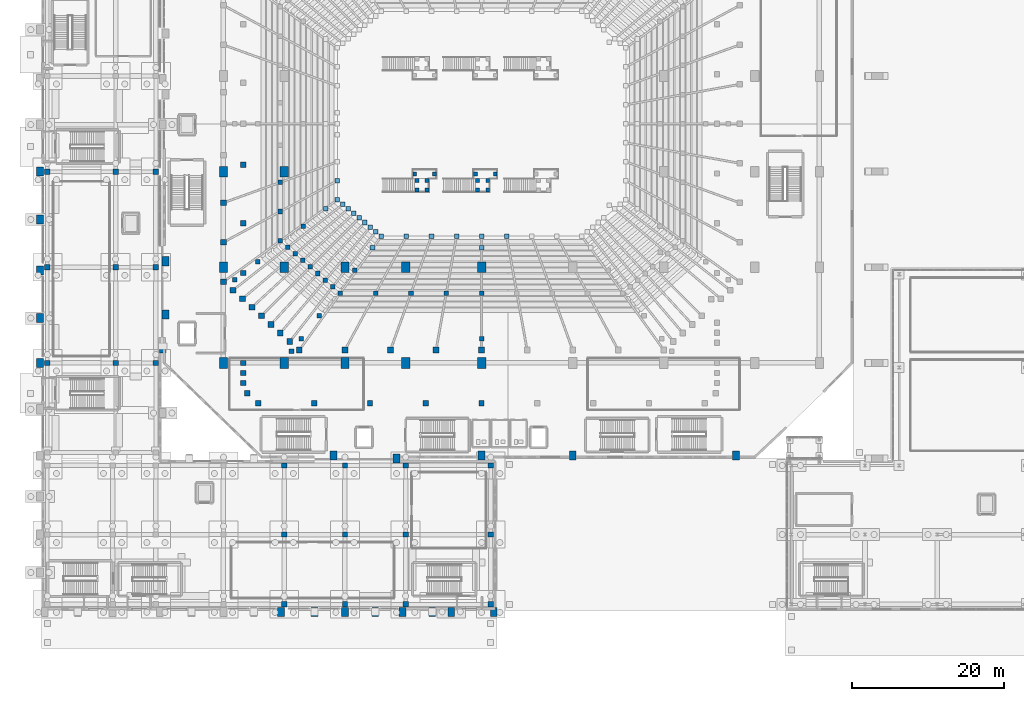
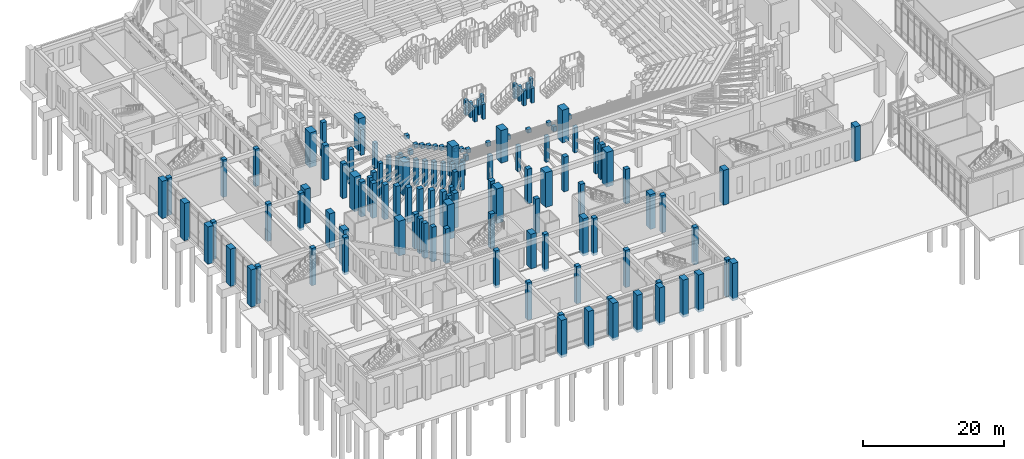
# One storey, part 6 of 143: 134 columns.
"""IFC4 building model written with IfcOpenShell, lengths in metres."""

import ifcopenshell
import ifcopenshell.guid

model = None  # the IFC model being written
_history = None  # IfcOwnerHistory: only IFC2X3 demands one
_inside = {}  # id of a spatial element -> (the spatial element, [elements in it])
_under = {}  # id of a project, library or spatial element -> (it, [spatial elements below it])
_declared = {}  # id of a project -> (the project, [libraries it declares])
_typed = {}  # id of a type object -> (the type object, [elements of that type])
_made_of = {}  # id of a material, layer set ... -> (it, [elements and type objects made of it])


def new_model(schema):
    """Start an empty IFC model of exactly this schema.

    Asked for "IFC4X3", IfcOpenShell would pick the latest addendum, in which some entities
    have other attributes; the version numbers below select the first issue.
    IFC2X3 requires an IfcOwnerHistory on every rooted entity: one is made here for all.
    """
    global model, _history
    if schema == "IFC4X3":
        model = ifcopenshell.file(schema_version=(4, 3, 0, 0))
    else:
        model = ifcopenshell.file(schema=schema)
    _inside.clear()
    _under.clear()
    _declared.clear()
    _typed.clear()
    _made_of.clear()
    _history = None
    if model.schema == "IFC2X3":
        org = make("IfcOrganization", Name="unknown")
        user = make(
            "IfcPersonAndOrganization",
            ThePerson=make("IfcPerson", FamilyName="unknown"),
            TheOrganization=org,
        )
        app = make(
            "IfcApplication",
            ApplicationDeveloper=org,
            Version="unknown",
            ApplicationFullName="unknown",
            ApplicationIdentifier="unknown",
        )
        _history = make(
            "IfcOwnerHistory",
            OwningUser=user,
            OwningApplication=app,
            ChangeAction="ADDED",
            CreationDate=0,
        )
    return model


def make(cls, **values):
    """One entity of the class cls with the attributes given. An attribute that is None is left unset."""
    return model.create_entity(
        cls, **{name: value for name, value in values.items() if value is not None}
    )


def rooted(cls, **values):
    """An entity with a GlobalId (a new one), such as an element, a storey or a relation."""
    return make(cls, GlobalId=ifcopenshell.guid.new(), OwnerHistory=_history, **values)


def si_unit(unit_type, name, prefix=None):
    """IfcSIUnit, for example si_unit("LENGTHUNIT", "METRE", prefix="MILLI")."""
    return make("IfcSIUnit", UnitType=unit_type, Prefix=prefix, Name=name)


def derived_unit(unit_type, elements):
    """IfcDerivedUnit: a product of units, each with its exponent."""
    return make(
        "IfcDerivedUnit",
        Elements=[
            make("IfcDerivedUnitElement", Unit=unit, Exponent=power)
            for unit, power in elements
        ],
        UnitType=unit_type,
    )


def assignment(units):
    """IfcUnitAssignment: the units of a project."""
    return None if units is None else make("IfcUnitAssignment", Units=units)


def point(xyz):
    """IfcCartesianPoint."""
    return None if xyz is None else make("IfcCartesianPoint", Coordinates=xyz)


def direction(xyz):
    """IfcDirection."""
    return None if xyz is None else make("IfcDirection", DirectionRatios=xyz)


def frame(location, z_axis=None, x_axis=None):
    """IfcAxis2Placement3D, a coordinate frame: its origin and axes. An axis left out is left unset."""
    return make(
        "IfcAxis2Placement3D",
        Location=point(location),
        Axis=direction(z_axis),
        RefDirection=direction(x_axis),
    )


def frame_2d(location, x_axis=None):
    """IfcAxis2Placement2D, a coordinate frame in the plane: its origin and x axis."""
    return make(
        "IfcAxis2Placement2D", Location=point(location), RefDirection=direction(x_axis)
    )


def origin():
    """The frame at (0, 0, 0) with its axes left unset."""
    return frame((0.0, 0.0, 0.0))


def origin_2d():
    """The frame at (0, 0) in the plane with its x axis left unset."""
    return frame_2d((0.0, 0.0))


def place(relative_to, where):
    """IfcLocalPlacement: puts the frame where relative to a parent placement (None: the world)."""
    return make(
        "IfcLocalPlacement", PlacementRelTo=relative_to, RelativePlacement=where
    )


def context(
    kind, dimensions, precision=None, world=None, true_north=None, identifier=None
):
    """IfcGeometricRepresentationContext, for example the 3D "Model" context."""
    return make(
        "IfcGeometricRepresentationContext",
        ContextIdentifier=identifier,
        ContextType=kind,
        CoordinateSpaceDimension=dimensions,
        Precision=precision,
        WorldCoordinateSystem=world,
        TrueNorth=true_north,
    )


def subcontext(parent, identifier, kind, view, scale=None):
    """IfcGeometricRepresentationSubContext, for example "Body" below "Model"."""
    return make(
        "IfcGeometricRepresentationSubContext",
        ContextIdentifier=identifier,
        ContextType=kind,
        ParentContext=parent,
        TargetScale=scale,
        TargetView=view,
    )


def project(units=None, contexts=None):
    """IfcProject with its units and contexts."""
    return rooted(
        "IfcProject",
        Name="project",
        RepresentationContexts=contexts,
        UnitsInContext=assignment(units),
    )


def spatial(cls, under=None, at=None, **own):
    """A site, building, storey or space (cls), placed at a placement, below another one or the project."""
    s = rooted(cls, ObjectPlacement=at, **own)
    if under is not None:
        _under.setdefault(under.id(), (under, []))[1].append(s)
    return s


def profile(cls, at=None, kind="AREA", **sizes):
    """A parametric profile (cls). Its sizes go by their IFC names, for example OverallWidth=200.0."""
    return make(cls, ProfileType=kind, Position=at, **sizes)


def rectangle(**sizes):
    """IfcRectangleProfileDef."""
    return profile("IfcRectangleProfileDef", **sizes)


def extrude(swept, where, along, depth):
    """IfcExtrudedAreaSolid: the profile swept, set in the frame where, extruded along a direction by depth."""
    return make(
        "IfcExtrudedAreaSolid",
        SweptArea=swept,
        Position=where,
        ExtrudedDirection=direction(along),
        Depth=depth,
    )


def shape(context_of_items, identifier, shape_type, items):
    """IfcShapeRepresentation: the items that make up one representation, for example the "Body"."""
    return make(
        "IfcShapeRepresentation",
        ContextOfItems=context_of_items,
        RepresentationIdentifier=identifier,
        RepresentationType=shape_type,
        Items=items,
    )


def material(Name=None, Category=None):
    """IfcMaterial."""
    return make("IfcMaterial", Name=Name, Category=Category)


def material_profile(
    of_material, cross_section, Name=None, Category=None, Priority=None
):
    """IfcMaterialProfile: a cross section and its material."""
    return make(
        "IfcMaterialProfile",
        Name=Name,
        Material=of_material,
        Profile=cross_section,
        Priority=Priority,
        Category=Category,
    )


def profile_set(profiles, Name=None, composite=None):
    """IfcMaterialProfileSet."""
    return make(
        "IfcMaterialProfileSet",
        Name=Name,
        MaterialProfiles=profiles,
        CompositeProfile=composite,
    )


def made_of(thing, what):
    """Note that an element or type object is made of a material, layer set ...; save() writes the relation."""
    if what is not None:
        _made_of.setdefault(what.id(), (what, []))[1].append(thing)
    return thing


def type_object(cls, material=None, **own):
    """A type object (cls), such as IfcWallType, which elements share."""
    return made_of(rooted(cls, **own), material)


def element(
    cls,
    number,
    at=None,
    inside=None,
    cuts=None,
    type_object=None,
    material=None,
    context=None,
    identifier="Body",
    shape_type=None,
    held_by="IfcProductDefinitionShape",
    body=None,
    shapes=None,
    **own,
):
    """One element of the class cls, such as IfcWall. Its Tag is "e" and its number.

    at: its placement. inside: the storey or other place that contains it. cuts: it is an
    opening in that element (IfcRelVoidsElement). A single representation is given by context,
    identifier, shape_type and body (its items); several are given by shapes. held_by: the class
    of the entity that holds the representations. save() writes the other relations.
    """
    e = rooted(cls, Tag="e%d" % number, ObjectPlacement=at, **own)
    if body is not None:
        shapes = [shape(context, identifier, shape_type, body)]
    if shapes is not None:
        e.Representation = make(held_by, Representations=shapes)
    if inside is not None:
        _inside.setdefault(inside.id(), (inside, []))[1].append(e)
    if cuts is not None:
        rooted(
            "IfcRelVoidsElement", RelatingBuildingElement=cuts, RelatedOpeningElement=e
        )
    if type_object is not None:
        _typed.setdefault(type_object.id(), (type_object, []))[1].append(e)
    return made_of(e, material)


def aggregate(whole, parts):
    """IfcRelAggregates: a whole, such as a stair, and the parts it consists of."""
    return rooted("IfcRelAggregates", RelatingObject=whole, RelatedObjects=parts)


def save(model, path):
    """Write the relations noted so far, then the file.

    IfcRelAggregates (storeys below a building ...), IfcRelContainedInSpatialStructure (elements
    in a storey), IfcRelDefinesByType, IfcRelAssociatesMaterial and IfcRelDeclares: one each for
    every whole, place, type object, material and project.
    """
    for whole, parts in _under.values():
        aggregate(whole, parts)
    for where, things in _inside.values():
        rooted(
            "IfcRelContainedInSpatialStructure",
            RelatedElements=things,
            RelatingStructure=where,
        )
    for kind, things in _typed.values():
        rooted("IfcRelDefinesByType", RelatedObjects=things, RelatingType=kind)
    for what, things in _made_of.values():
        rooted("IfcRelAssociatesMaterial", RelatedObjects=things, RelatingMaterial=what)
    for by, libraries in _declared.values():
        rooted("IfcRelDeclares", RelatingContext=by, RelatedDefinitions=libraries)
    model.write(path)


model = new_model("IFC4")

# Units and contexts
model_context = context("Model", 3, precision=1e-05, world=origin(), true_north=direction((0.0, 1.0)))
body_context = subcontext(model_context, "Body", "Model", "MODEL_VIEW")
ifc_project = project(units=[si_unit("LENGTHUNIT", "METRE"), si_unit("AREAUNIT", "SQUARE_METRE"), si_unit("VOLUMEUNIT", "CUBIC_METRE"), si_unit("PLANEANGLEUNIT", "RADIAN"), si_unit("MASSUNIT", "GRAM", prefix="KILO"), derived_unit("THERMALTRANSMITTANCEUNIT", [(si_unit("MASSUNIT", "GRAM", prefix="KILO"), 1), (si_unit("TIMEUNIT", "SECOND"), -3), (si_unit("THERMODYNAMICTEMPERATUREUNIT", "KELVIN"), -1)])], contexts=[model_context])

# Site, building, storey
site_placement = place(None, origin())
site = spatial("IfcSite", under=ifc_project, at=site_placement, CompositionType="ELEMENT")
building_placement = place(site_placement, origin())
building = spatial("IfcBuilding", under=site, at=building_placement, Name="Valcora Ridge Arena", CompositionType="ELEMENT")
storey_placement = place(building_placement, origin())
storey = spatial("IfcBuildingStorey", under=building, at=storey_placement, Name="L00", CompositionType="ELEMENT", Elevation=0.0)

# Columns
ifc_material_1 = material(Name="Bush-hammered Andean travertine architectural concrete C45/55", Category="masonry")
ifc_material_profile_1 = material_profile(ifc_material_1, rectangle(XDim=0.89990234375, YDim=1.199951171875, at=origin_2d()), Name="RC 900x1200")
ifc_profile_set_1 = profile_set([ifc_material_profile_1], Name="Bush-hammered Andean travertine architectural concrete C45/55")
column_type_1 = type_object("IfcColumnType", Name="TY-COLUMN-C-BUTT-1200", PredefinedType="PILASTER", material=ifc_profile_set_1)
for number, where, z_axis, x_axis, name in (
    (1, (38.5, 20.39990234375, 0.0), (0.0, 0.0, 1.0), (1.0, 0.0, 0.0), "C-BUTT-1200 COL-C-BUTT-1200-0002"),
    (2, (58.0, 20.39990234375, 0.0), (0.0, 0.0, 1.0), (1.0, 0.0, 0.0), "C-BUTT-1200 COL-C-BUTT-1200-0006"),
    (3, (70.0, 20.39990234375, 0.0), (0.0, 0.0, 1.0), (1.0, 0.0, 0.0), "C-BUTT-1200 COL-C-BUTT-1200-0010"),
    (4, (91.5, 20.39990234375, 0.0), (0.0, 0.0, 1.0), (1.0, 0.0, 0.0), "C-BUTT-1200 COL-C-BUTT-1200-0014"),
    (5, (16.35009765625, 39.0, 0.0), (0.0, 0.0, 1.0), (1.0, 0.0, 0.0), "C-BUTT-1200 COL-C-BUTT-1200-0034"),
    (6, (16.35009765625, 46.0, 0.0), (0.0, 0.0, 1.0), (1.0, 0.0, 0.0), "C-BUTT-1200 COL-C-BUTT-1200-0038"),
):
    element("IfcColumn", number, at=place(storey_placement, frame(where, z_axis=z_axis, x_axis=x_axis)), inside=storey, type_object=column_type_1, Name=name, PredefinedType="PILASTER", context=body_context, shape_type="SweptSolid", body=[
        extrude(rectangle(XDim=0.89990234375, YDim=1.199951171875, at=origin_2d()), origin(), (0.0, 0.0, 1.0), 6.0),
    ])
for number, where, z_axis, x_axis, name in (
    (7, (31.60009765625, -0.179931640625, -0.449951171875), (0.0, 0.0, 1.0), (1.0, 0.0, 0.0), "C-BUTT-1200 COL-C-BUTT-1200-0065"),
    (8, (40.0, -0.179931640625, -0.449951171875), (0.0, 0.0, 1.0), (1.0, 0.0, 0.0), "C-BUTT-1200 COL-C-BUTT-1200-0068"),
    (9, (47.60009765625, -0.179931640625, -0.449951171875), (0.0, 0.0, 1.0), (1.0, 0.0, 0.0), "C-BUTT-1200 COL-C-BUTT-1200-0071"),
    (10, (54.0, -0.179931640625, -0.449951171875), (0.0, 0.0, 1.0), (1.0, 0.0, 0.0), "C-BUTT-1200 COL-C-BUTT-1200-0074"),
    (11, (59.60009765625, -0.179931640625, -0.449951171875), (0.0, 0.0, 1.0), (1.0, 0.0, 0.0), "C-BUTT-1200 COL-C-BUTT-1200-0077"),
    (12, (-0.179931640625, 32.60009765625, -0.449951171875), (0.0, 0.0, 1.0), (1.0, 0.0, 0.0), "C-BUTT-1200 COL-C-BUTT-1200-0086"),
    (13, (-0.179931640625, 44.800048828125, -0.449951171875), (0.0, 0.0, 1.0), (1.0, 0.0, 0.0), "C-BUTT-1200 COL-C-BUTT-1200-0089"),
    (14, (-0.179931640625, 57.800048828125, -0.449951171875), (0.0, 0.0, 1.0), (1.0, 0.0, 0.0), "C-BUTT-1200 COL-C-BUTT-1200-0092"),
    (15, (46.800048828125, 20.0, -0.449951171875), (0.0, 0.0, 1.0), (1.0, 0.0, 0.0), "C-BUTT-1200 COL-C-BUTT-1200-0110"),
    (16, (16.0, 34.5, -0.449951171875), (0.0, 0.0, 1.0), (1.0, 0.0, 0.0), "C-BUTT-1200 COL-C-BUTT-1200-0116"),
    (17, (36.0, -0.179931640625, -0.449951171875), (0.0, 0.0, 1.0), (1.0, 0.0, 0.0), "C-BUTT-1200 COL-C-BUTT-1200-0398"),
    (18, (44.0, -0.179931640625, -0.449951171875), (0.0, 0.0, 1.0), (1.0, 0.0, 0.0), "C-BUTT-1200 COL-C-BUTT-1200-0401"),
    (19, (51.5, -0.179931640625, -0.449951171875), (0.0, 0.0, 1.0), (1.0, 0.0, 0.0), "C-BUTT-1200 COL-C-BUTT-1200-0404"),
    (20, (-0.179931640625, 38.5, -0.449951171875), (0.0, 0.0, 1.0), (1.0, 0.0, 0.0), "C-BUTT-1200 COL-C-BUTT-1200-0416"),
    (21, (-0.179931640625, 51.5, -0.449951171875), (0.0, 0.0, 1.0), (1.0, 0.0, 0.0), "C-BUTT-1200 COL-C-BUTT-1200-0419"),
):
    element("IfcColumn", number, at=place(storey_placement, frame(where, z_axis=z_axis, x_axis=x_axis)), inside=storey, type_object=column_type_1, Name=name, PredefinedType="PILASTER", context=body_context, shape_type="SweptSolid", body=[
        extrude(rectangle(XDim=0.89990234375, YDim=1.199951171875, at=origin_2d()), origin(), (0.0, 0.0, 1.0), 6.449951171875),
    ])
ifc_material_2 = material(Name="Concrete C40/50", Category="concrete")
ifc_material_profile_2 = material_profile(ifc_material_2, rectangle(XDim=1.10009765625, YDim=1.39990234375, at=origin_2d()), Name="RC 1100x1400")
ifc_profile_set_2 = profile_set([ifc_material_profile_2], Name="Concrete C40/50")
column_type_2 = type_object("IfcColumnType", Name="TY-COLUMN-C-RC1100", PredefinedType="COLUMN", material=ifc_profile_set_2)
for number, where, z_axis, x_axis, name in (
    (22, (24.0, 32.60009765625, 0.0), (0.0, 0.0, 1.0), (1.0, 0.0, 0.0), "C-RC1100 COL-C-RC1100-0002"),
    (23, (24.0, 45.199951171875, 0.0), (0.0, 0.0, 1.0), (1.0, 0.0, 0.0), "C-RC1100 COL-C-RC1100-0004"),
    (24, (24.0, 57.800048828125, 0.0), (0.0, 0.0, 1.0), (1.0, 0.0, 0.0), "C-RC1100 COL-C-RC1100-0006"),
    (25, (32.0, 32.60009765625, 0.0), (0.0, 0.0, 1.0), (1.0, 0.0, 0.0), "C-RC1100 COL-C-RC1100-0014"),
):
    element("IfcColumn", number, at=place(storey_placement, frame(where, z_axis=z_axis, x_axis=x_axis)), inside=storey, type_object=column_type_2, Name=name, PredefinedType="COLUMN", context=body_context, shape_type="SweptSolid", body=[
        extrude(rectangle(XDim=1.10009765625, YDim=1.39990234375, at=origin_2d()), origin(), (0.0, 0.0, 1.0), 6.0),
    ])
for number, where, z_axis, x_axis, name in (
    (26, (32.0, 45.199951171875, 0.0), (0.0, 0.0, 1.0), (1.0, 0.0, 0.0), "C-RC1100 COL-C-RC1100-0016"),
    (27, (32.0, 57.800048828125, 0.0), (0.0, 0.0, 1.0), (1.0, 0.0, 0.0), "C-RC1100 COL-C-RC1100-0018"),
):
    element("IfcColumn", number, at=place(storey_placement, frame(where, z_axis=z_axis, x_axis=x_axis)), inside=storey, type_object=column_type_2, Name=name, PredefinedType="COLUMN", context=body_context, shape_type="SweptSolid", body=[
        extrude(rectangle(XDim=1.10009765625, YDim=1.39990234375, at=origin_2d()), origin(), (0.0, 0.0, 1.0), 5.639892578125),
    ])
column_1_placement = place(storey_placement, frame((40.0, 32.60009765625, 0.0), z_axis=(0.0, 0.0, 1.0), x_axis=(1.0, 0.0, 0.0)))
element("IfcColumn", 28, at=column_1_placement, inside=storey, type_object=column_type_2, Name="C-RC1100 COL-C-RC1100-0026", PredefinedType="COLUMN", context=body_context, shape_type="SweptSolid", body=[
    extrude(rectangle(XDim=1.10009765625, YDim=1.39990234375, at=origin_2d()), origin(), (0.0, 0.0, 1.0), 6.0),
])
column_2_placement = place(storey_placement, frame((40.0, 45.199951171875, 0.0), z_axis=(0.0, 0.0, 1.0), x_axis=(1.0, 0.0, 0.0)))
element("IfcColumn", 29, at=column_2_placement, inside=storey, type_object=column_type_2, Name="C-RC1100 COL-C-RC1100-0028", PredefinedType="COLUMN", context=body_context, shape_type="SweptSolid", body=[
    extrude(rectangle(XDim=1.10009765625, YDim=1.39990234375, at=origin_2d()), origin(), (0.0, 0.0, 1.0), 5.639892578125),
])
column_3_placement = place(storey_placement, frame((48.0, 32.60009765625, 0.0), z_axis=(0.0, 0.0, 1.0), x_axis=(1.0, 0.0, 0.0)))
element("IfcColumn", 30, at=column_3_placement, inside=storey, type_object=column_type_2, Name="C-RC1100 COL-C-RC1100-0034", PredefinedType="COLUMN", context=body_context, shape_type="SweptSolid", body=[
    extrude(rectangle(XDim=1.10009765625, YDim=1.39990234375, at=origin_2d()), origin(), (0.0, 0.0, 1.0), 6.0),
])
column_4_placement = place(storey_placement, frame((48.0, 45.199951171875, 0.0), z_axis=(0.0, 0.0, 1.0), x_axis=(1.0, 0.0, 0.0)))
element("IfcColumn", 31, at=column_4_placement, inside=storey, type_object=column_type_2, Name="C-RC1100 COL-C-RC1100-0036", PredefinedType="COLUMN", context=body_context, shape_type="SweptSolid", body=[
    extrude(rectangle(XDim=1.10009765625, YDim=1.39990234375, at=origin_2d()), origin(), (0.0, 0.0, 1.0), 5.639892578125),
])
column_5_placement = place(storey_placement, frame((58.0, 32.60009765625, 0.0), z_axis=(0.0, 0.0, 1.0), x_axis=(1.0, 0.0, 0.0)))
element("IfcColumn", 32, at=column_5_placement, inside=storey, type_object=column_type_2, Name="C-RC1100 COL-C-RC1100-0042", PredefinedType="COLUMN", context=body_context, shape_type="SweptSolid", body=[
    extrude(rectangle(XDim=1.10009765625, YDim=1.39990234375, at=origin_2d()), origin(), (0.0, 0.0, 1.0), 6.0),
])
column_6_placement = place(storey_placement, frame((58.0, 45.199951171875, 0.0), z_axis=(0.0, 0.0, 1.0), x_axis=(1.0, 0.0, 0.0)))
element("IfcColumn", 33, at=column_6_placement, inside=storey, type_object=column_type_2, Name="C-RC1100 COL-C-RC1100-0044", PredefinedType="COLUMN", context=body_context, shape_type="SweptSolid", body=[
    extrude(rectangle(XDim=1.10009765625, YDim=1.39990234375, at=origin_2d()), origin(), (0.0, 0.0, 1.0), 5.639892578125),
])
ifc_material_profile_3 = material_profile(ifc_material_2, rectangle(XDim=0.699951171875, YDim=0.699951171875, at=origin_2d()), Name="RC 700x700")
ifc_profile_set_3 = profile_set([ifc_material_profile_3], Name="Concrete C40/50")
column_type_3 = type_object("IfcColumnType", Name="TY-COLUMN-C-RC700", PredefinedType="COLUMN", material=ifc_profile_set_3)
for number, where, z_axis, x_axis, name in (
    (34, (32.0, 0.800048828125, -0.449951171875), (0.0, 0.0, 1.0), (1.0, 0.0, 0.0), "C-RC700 COL-C-RC700-0053"),
    (35, (32.0, 10.0, -0.449951171875), (0.0, 0.0, 1.0), (1.0, 0.0, 0.0), "C-RC700 COL-C-RC700-0055"),
    (36, (32.0, 19.10009765625, -0.449951171875), (0.0, 0.0, 1.0), (1.0, 0.0, 0.0), "C-RC700 COL-C-RC700-0057"),
    (37, (40.0, 0.800048828125, -0.449951171875), (0.0, 0.0, 1.0), (1.0, 0.0, 0.0), "C-RC700 COL-C-RC700-0059"),
    (38, (40.0, 10.0, -0.449951171875), (0.0, 0.0, 1.0), (1.0, 0.0, 0.0), "C-RC700 COL-C-RC700-0061"),
    (39, (40.0, 19.10009765625, -0.449951171875), (0.0, 0.0, 1.0), (1.0, 0.0, 0.0), "C-RC700 COL-C-RC700-0063"),
    (40, (48.0, 0.800048828125, -0.449951171875), (0.0, 0.0, 1.0), (1.0, 0.0, 0.0), "C-RC700 COL-C-RC700-0065"),
    (41, (48.0, 10.0, -0.449951171875), (0.0, 0.0, 1.0), (1.0, 0.0, 0.0), "C-RC700 COL-C-RC700-0067"),
    (42, (48.0, 19.10009765625, -0.449951171875), (0.0, 0.0, 1.0), (1.0, 0.0, 0.0), "C-RC700 COL-C-RC700-0069"),
    (43, (59.199951171875, 0.800048828125, -0.449951171875), (0.0, 0.0, 1.0), (1.0, 0.0, 0.0), "C-RC700 COL-C-RC700-0071"),
    (44, (59.199951171875, 10.0, -0.449951171875), (0.0, 0.0, 1.0), (1.0, 0.0, 0.0), "C-RC700 COL-C-RC700-0073"),
    (45, (59.199951171875, 19.10009765625, -0.449951171875), (0.0, 0.0, 1.0), (1.0, 0.0, 0.0), "C-RC700 COL-C-RC700-0075"),
    (46, (0.800048828125, 32.60009765625, -0.449951171875), (0.0, 0.0, 1.0), (1.0, 0.0, 0.0), "C-RC700 COL-C-RC700-0079"),
    (47, (0.800048828125, 45.199951171875, -0.449951171875), (0.0, 0.0, 1.0), (1.0, 0.0, 0.0), "C-RC700 COL-C-RC700-0081"),
    (48, (0.800048828125, 57.800048828125, -0.449951171875), (0.0, 0.0, 1.0), (1.0, 0.0, 0.0), "C-RC700 COL-C-RC700-0083"),
    (49, (9.800048828125, 32.60009765625, -0.449951171875), (0.0, 0.0, 1.0), (1.0, 0.0, 0.0), "C-RC700 COL-C-RC700-0093"),
    (50, (9.800048828125, 45.199951171875, -0.449951171875), (0.0, 0.0, 1.0), (1.0, 0.0, 0.0), "C-RC700 COL-C-RC700-0095"),
    (51, (9.800048828125, 57.800048828125, -0.449951171875), (0.0, 0.0, 1.0), (1.0, 0.0, 0.0), "C-RC700 COL-C-RC700-0097"),
    (52, (15.10009765625, 32.60009765625, -0.449951171875), (0.0, 0.0, 1.0), (1.0, 0.0, 0.0), "C-RC700 COL-C-RC700-0107"),
    (53, (15.10009765625, 45.199951171875, -0.449951171875), (0.0, 0.0, 1.0), (1.0, 0.0, 0.0), "C-RC700 COL-C-RC700-0109"),
    (54, (15.10009765625, 57.800048828125, -0.449951171875), (0.0, 0.0, 1.0), (1.0, 0.0, 0.0), "C-RC700 COL-C-RC700-0111"),
):
    element("IfcColumn", number, at=place(storey_placement, frame(where, z_axis=z_axis, x_axis=x_axis)), inside=storey, type_object=column_type_3, Name=name, PredefinedType="COLUMN", context=body_context, shape_type="SweptSolid", body=[
        extrude(rectangle(XDim=0.699951171875, YDim=0.699951171875, at=origin_2d()), origin(), (0.0, 0.0, 1.0), 6.449951171875),
    ])
ifc_material_profile_4 = material_profile(ifc_material_2, rectangle(XDim=0.5, YDim=0.5, at=origin_2d()), Name="RC 500x500")
ifc_profile_set_4 = profile_set([ifc_material_profile_4], Name="Concrete C40/50")
column_type_4 = type_object("IfcColumnType", Name="TY-COLUMN-C-RKR500", PredefinedType="COLUMN", material=ifc_profile_set_4)
for number, where, z_axis, x_axis, name in (
    (55, (49.47998046875, 55.3798828125, 0.0), (0.0, 0.0, 1.0), (1.0, 0.0, 0.0), "C-RKR500 COL-VS-C-RKR500-0002"),
    (56, (49.47998046875, 56.6201171875, 0.0), (0.0, 0.0, 1.0), (1.0, 0.0, 0.0), "C-RKR500 COL-VS-C-RKR500-0004"),
    (57, (50.820068359375, 55.3798828125, 0.0), (0.0, 0.0, 1.0), (1.0, 0.0, 0.0), "C-RKR500 COL-VS-C-RKR500-0006"),
    (58, (50.820068359375, 56.6201171875, 0.0), (0.0, 0.0, 1.0), (1.0, 0.0, 0.0), "C-RKR500 COL-VS-C-RKR500-0008"),
    (59, (49.199951171875, 57.5, 0.0), (0.0, 0.0, 1.0), (1.0, 0.0, 0.0), "C-RKR500 COL-VS-C-RKR500-0010"),
    (60, (51.800048828125, 57.5, 0.0), (0.0, 0.0, 1.0), (1.0, 0.0, 0.0), "C-RKR500 COL-VS-C-RKR500-0012"),
    (61, (57.47998046875, 55.3798828125, 0.0), (0.0, 0.0, 1.0), (1.0, 0.0, 0.0), "C-RKR500 COL-VS-C-RKR500-0014"),
    (62, (57.47998046875, 56.6201171875, 0.0), (0.0, 0.0, 1.0), (1.0, 0.0, 0.0), "C-RKR500 COL-VS-C-RKR500-0016"),
    (63, (58.820068359375, 55.3798828125, 0.0), (0.0, 0.0, 1.0), (1.0, 0.0, 0.0), "C-RKR500 COL-VS-C-RKR500-0018"),
    (64, (58.820068359375, 56.6201171875, 0.0), (0.0, 0.0, 1.0), (1.0, 0.0, 0.0), "C-RKR500 COL-VS-C-RKR500-0020"),
    (65, (57.199951171875, 57.5, 0.0), (0.0, 0.0, 1.0), (1.0, 0.0, 0.0), "C-RKR500 COL-VS-C-RKR500-0022"),
    (66, (59.800048828125, 57.5, 0.0), (0.0, 0.0, 1.0), (1.0, 0.0, 0.0), "C-RKR500 COL-VS-C-RKR500-0024"),
):
    element("IfcColumn", number, at=place(storey_placement, frame(where, z_axis=z_axis, x_axis=x_axis)), inside=storey, type_object=column_type_4, Name=name, PredefinedType="COLUMN", context=body_context, shape_type="SweptSolid", body=[
        extrude(rectangle(XDim=0.5, YDim=0.5, at=origin_2d()), origin(), (0.0, 0.0, 1.0), 2.60009765625),
    ])
ifc_material_profile_5 = material_profile(ifc_material_2, rectangle(XDim=0.60009765625, YDim=0.60009765625, at=origin_2d()), Name="RC 600x600")
ifc_profile_set_5 = profile_set([ifc_material_profile_5], Name="Concrete C40/50")
column_type_5 = type_object("IfcColumnType", Name="TY-COLUMN-C-RKR600", PredefinedType="COLUMN", material=ifc_profile_set_5)
for number, where, z_axis, x_axis, name in (
    (67, (39.39990234375, 41.800048828125, 0.0), (0.0, 0.0, 1.0), (1.0, 0.0, 0.0), "C-RKR600 COL-RK-C-RKR600-0002"),
    (68, (44.050048828125, 41.800048828125, 0.0), (0.0, 0.0, 1.0), (1.0, 0.0, 0.0), "C-RKR600 COL-RK-C-RKR600-0004"),
    (69, (48.699951171875, 41.800048828125, 0.0), (0.0, 0.0, 1.0), (1.0, 0.0, 0.0), "C-RKR600 COL-RK-C-RKR600-0006"),
    (70, (53.35009765625, 41.800048828125, 0.0), (0.0, 0.0, 1.0), (1.0, 0.0, 0.0), "C-RKR600 COL-RK-C-RKR600-0008"),
    (71, (58.0, 41.800048828125, 0.0), (0.0, 0.0, 1.0), (1.0, 0.0, 0.0), "C-RKR600 COL-RK-C-RKR600-0010"),
    (72, (31.5, 56.39990234375, 0.0), (0.0, 0.0, 1.0), (1.0, 0.0, 0.0), "C-RKR600 COL-RK-C-RKR600-0102"),
    (73, (31.5, 52.550048828125, 0.0), (0.0, 0.0, 1.0), (1.0, 0.0, 0.0), "C-RKR600 COL-RK-C-RKR600-0104"),
    (74, (31.5, 48.699951171875, 0.0), (0.0, 0.0, 1.0), (1.0, 0.0, 0.0), "C-RKR600 COL-RK-C-RKR600-0106"),
    (75, (32.487548828125, 47.83740234375, 0.0), (0.0, 0.0, 1.0), (1.0, 0.0, 0.0), "C-RKR600 COL-RK-C-RKR600-0108"),
    (76, (33.47509765625, 46.97509765625, 0.0), (0.0, 0.0, 1.0), (1.0, 0.0, 0.0), "C-RKR600 COL-RK-C-RKR600-0110"),
    (77, (34.46240234375, 46.112548828125, 0.0), (0.0, 0.0, 1.0), (1.0, 0.0, 0.0), "C-RKR600 COL-RK-C-RKR600-0112"),
    (78, (35.449951171875, 45.25, 0.0), (0.0, 0.0, 1.0), (1.0, 0.0, 0.0), "C-RKR600 COL-RK-C-RKR600-0114"),
    (79, (36.4375, 44.387451171875, 0.0), (0.0, 0.0, 1.0), (1.0, 0.0, 0.0), "C-RKR600 COL-RK-C-RKR600-0116"),
    (80, (37.425048828125, 43.52490234375, 0.0), (0.0, 0.0, 1.0), (1.0, 0.0, 0.0), "C-RKR600 COL-RK-C-RKR600-0118"),
    (81, (38.41259765625, 42.66259765625, 0.0), (0.0, 0.0, 1.0), (1.0, 0.0, 0.0), "C-RKR600 COL-RK-C-RKR600-0120"),
):
    element("IfcColumn", number, at=place(storey_placement, frame(where, z_axis=z_axis, x_axis=x_axis)), inside=storey, type_object=column_type_5, Name=name, PredefinedType="COLUMN", context=body_context, shape_type="SweptSolid", body=[
        extrude(rectangle(XDim=0.60009765625, YDim=0.60009765625, at=origin_2d()), origin(), (0.0, 0.0, 1.0), 4.39990234375),
    ])
ifc_material_profile_6 = material_profile(ifc_material_2, rectangle(XDim=0.60009765625, YDim=0.60009765625, at=origin_2d()), Name="RC 600x600")
ifc_profile_set_6 = profile_set([ifc_material_profile_6], Name="Concrete C40/50")
column_type_6 = type_object("IfcColumnType", Name="TY-COLUMN-C-RKR600I", PredefinedType="COLUMN", material=ifc_profile_set_6)
for number, where, z_axis, x_axis, name in (
    (82, (44.800048828125, 49.300048828125, 0.0), (0.0, 0.0, 1.0), (1.0, 0.0, 0.0), "C-RKR600I COL-RK-C-RKR600I-0002"),
    (83, (48.10009765625, 49.300048828125, 0.0), (0.0, 0.0, 1.0), (1.0, 0.0, 0.0), "C-RKR600I COL-RK-C-RKR600I-0004"),
    (84, (51.39990234375, 49.300048828125, 0.0), (0.0, 0.0, 1.0), (1.0, 0.0, 0.0), "C-RKR600I COL-RK-C-RKR600I-0006"),
    (85, (54.699951171875, 49.300048828125, 0.0), (0.0, 0.0, 1.0), (1.0, 0.0, 0.0), "C-RKR600I COL-RK-C-RKR600I-0008"),
    (86, (58.0, 49.300048828125, 0.0), (0.0, 0.0, 1.0), (1.0, 0.0, 0.0), "C-RKR600I COL-RK-C-RKR600I-0010"),
    (87, (61.300048828125, 49.300048828125, 0.0), (0.0, 0.0, 1.0), (1.0, 0.0, 0.0), "C-RKR600I COL-RK-C-RKR600I-0012"),
    (88, (39.0, 56.60009765625, 0.0), (0.0, 0.0, 1.0), (1.0, 0.0, 0.0), "C-RKR600I COL-RK-C-RKR600I-0104"),
    (89, (39.0, 54.10009765625, 0.0), (0.0, 0.0, 1.0), (1.0, 0.0, 0.0), "C-RKR600I COL-RK-C-RKR600I-0106"),
    (90, (39.72509765625, 53.5, 0.0), (0.0, 0.0, 1.0), (1.0, 0.0, 0.0), "C-RKR600I COL-RK-C-RKR600I-0108"),
    (91, (40.449951171875, 52.89990234375, 0.0), (0.0, 0.0, 1.0), (1.0, 0.0, 0.0), "C-RKR600I COL-RK-C-RKR600I-0110"),
    (92, (41.175048828125, 52.300048828125, 0.0), (0.0, 0.0, 1.0), (1.0, 0.0, 0.0), "C-RKR600I COL-RK-C-RKR600I-0112"),
    (93, (41.89990234375, 51.699951171875, 0.0), (0.0, 0.0, 1.0), (1.0, 0.0, 0.0), "C-RKR600I COL-RK-C-RKR600I-0114"),
    (94, (42.625, 51.10009765625, 0.0), (0.0, 0.0, 1.0), (1.0, 0.0, 0.0), "C-RKR600I COL-RK-C-RKR600I-0116"),
    (95, (43.35009765625, 50.5, 0.0), (0.0, 0.0, 1.0), (1.0, 0.0, 0.0), "C-RKR600I COL-RK-C-RKR600I-0118"),
    (96, (44.074951171875, 49.89990234375, 0.0), (0.0, 0.0, 1.0), (1.0, 0.0, 0.0), "C-RKR600I COL-RK-C-RKR600I-0120"),
):
    element("IfcColumn", number, at=place(storey_placement, frame(where, z_axis=z_axis, x_axis=x_axis)), inside=storey, type_object=column_type_6, Name=name, PredefinedType="COLUMN", context=body_context, shape_type="SweptSolid", body=[
        extrude(rectangle(XDim=0.60009765625, YDim=0.60009765625, at=origin_2d()), origin(), (0.0, 0.0, 1.0), 0.64990234375),
    ])
for number, where, z_axis, x_axis, name in (
    (97, (43.6298828125, 47.800048828125, 0.0), (0.0, 0.0, 1.0), (1.0, 0.0, 0.0), "C-RKR600I COL-R2-C-RKR600I-0001"),
    (98, (58.0, 47.800048828125, 0.0), (0.0, 0.0, 1.0), (1.0, 0.0, 0.0), "C-RKR600I COL-R2-C-RKR600I-0002"),
    (99, (37.5, 52.929931640625, 0.0), (0.0, 0.0, 1.0), (1.0, 0.0, 0.0), "C-RKR600I COL-R2-C-RKR600I-0012"),
):
    element("IfcColumn", number, at=place(storey_placement, frame(where, z_axis=z_axis, x_axis=x_axis)), inside=storey, type_object=column_type_6, Name=name, PredefinedType="COLUMN", context=body_context, shape_type="SweptSolid", body=[
        extrude(rectangle(XDim=0.60009765625, YDim=0.60009765625, at=origin_2d()), origin(), (0.0, 0.0, 1.0), 0.85498046875),
    ])
for number, where, z_axis, x_axis, name in (
    (100, (41.2900390625, 44.800048828125, 0.0), (0.0, 0.0, 1.0), (1.0, 0.0, 0.0), "C-RKR600I COL-R2-C-RKR600I-0013"),
    (101, (34.5, 50.590087890625, 0.0), (0.0, 0.0, 1.0), (1.0, 0.0, 0.0), "C-RKR600I COL-R2-C-RKR600I-0022"),
):
    element("IfcColumn", number, at=place(storey_placement, frame(where, z_axis=z_axis, x_axis=x_axis)), inside=storey, type_object=column_type_6, Name=name, PredefinedType="COLUMN", context=body_context, shape_type="SweptSolid", body=[
        extrude(rectangle(XDim=0.60009765625, YDim=0.60009765625, at=origin_2d()), origin(), (0.0, 0.0, 1.0), 2.614990234375),
    ])
for number, where, z_axis, x_axis, name in (
    (102, (36.610107421875, 38.800048828125, 0.0), (0.0, 0.0, 1.0), (1.0, 0.0, 0.0), "C-RKR600I COL-R2-C-RKR600I-0023"),
    (103, (28.5, 45.909912109375, 0.0), (0.0, 0.0, 1.0), (1.0, 0.0, 0.0), "C-RKR600I COL-R2-C-RKR600I-0032"),
    (104, (34.27001953125, 35.800048828125, 0.0), (0.0, 0.0, 1.0), (1.0, 0.0, 0.0), "C-RKR600I COL-R2-C-RKR600I-0033"),
    (105, (58.0, 35.800048828125, 0.0), (0.0, 0.0, 1.0), (1.0, 0.0, 0.0), "C-RKR600I COL-R2-C-RKR600I-0035"),
    (106, (25.5, 43.570068359375, 0.0), (0.0, 0.0, 1.0), (1.0, 0.0, 0.0), "C-RKR600I COL-R2-C-RKR600I-0055"),
    (107, (32.959716796875, 34.1201171875, 0.0), (0.0, 0.0, 1.0), (1.0, 0.0, 0.0), "C-RKR600I COL-R2-C-RKR600I-0057"),
):
    element("IfcColumn", number, at=place(storey_placement, frame(where, z_axis=z_axis, x_axis=x_axis)), inside=storey, type_object=column_type_6, Name=name, PredefinedType="COLUMN", context=body_context, shape_type="SweptSolid", body=[
        extrude(rectangle(XDim=0.60009765625, YDim=0.60009765625, at=origin_2d()), origin(), (0.0, 0.0, 1.0), 6.0),
    ])
ifc_material_profile_7 = material_profile(ifc_material_2, rectangle(XDim=0.75, YDim=0.75, at=origin_2d()), Name="RC 750x750")
ifc_profile_set_7 = profile_set([ifc_material_profile_7], Name="Concrete C40/50")
column_type_7 = type_object("IfcColumnType", Name="TY-COLUMN-C-RKR750", PredefinedType="COLUMN", material=ifc_profile_set_7)
for number, where, z_axis, x_axis, name in (
    (108, (34.0, 34.300048828125, 0.0), (0.0, 0.0, 1.0), (1.0, 0.0, 0.0), "C-RKR750 COL-RK-C-RKR750-0002"),
    (109, (40.0, 34.300048828125, 0.0), (0.0, 0.0, 1.0), (1.0, 0.0, 0.0), "C-RKR750 COL-RK-C-RKR750-0004"),
    (110, (46.0, 34.300048828125, 0.0), (0.0, 0.0, 1.0), (1.0, 0.0, 0.0), "C-RKR750 COL-RK-C-RKR750-0006"),
    (111, (52.0, 34.300048828125, 0.0), (0.0, 0.0, 1.0), (1.0, 0.0, 0.0), "C-RKR750 COL-RK-C-RKR750-0008"),
    (112, (58.0, 34.300048828125, 0.0), (0.0, 0.0, 1.0), (1.0, 0.0, 0.0), "C-RKR750 COL-RK-C-RKR750-0010"),
    (113, (24.0, 53.699951171875, 0.0), (0.0, 0.0, 1.0), (1.0, 0.0, 0.0), "C-RKR750 COL-RK-C-RKR750-0102"),
    (114, (24.0, 48.5, 0.0), (0.0, 0.0, 1.0), (1.0, 0.0, 0.0), "C-RKR750 COL-RK-C-RKR750-0104"),
    (115, (24.0, 43.300048828125, 0.0), (0.0, 0.0, 1.0), (1.0, 0.0, 0.0), "C-RKR750 COL-RK-C-RKR750-0106"),
    (116, (25.25, 42.175048828125, 0.0), (0.0, 0.0, 1.0), (1.0, 0.0, 0.0), "C-RKR750 COL-RK-C-RKR750-0108"),
    (117, (26.5, 41.050048828125, 0.0), (0.0, 0.0, 1.0), (1.0, 0.0, 0.0), "C-RKR750 COL-RK-C-RKR750-0110"),
    (118, (27.75, 39.925048828125, 0.0), (0.0, 0.0, 1.0), (1.0, 0.0, 0.0), "C-RKR750 COL-RK-C-RKR750-0112"),
    (119, (29.0, 38.800048828125, 0.0), (0.0, 0.0, 1.0), (1.0, 0.0, 0.0), "C-RKR750 COL-RK-C-RKR750-0114"),
    (120, (30.25, 37.675048828125, 0.0), (0.0, 0.0, 1.0), (1.0, 0.0, 0.0), "C-RKR750 COL-RK-C-RKR750-0116"),
    (121, (31.5, 36.550048828125, 0.0), (0.0, 0.0, 1.0), (1.0, 0.0, 0.0), "C-RKR750 COL-RK-C-RKR750-0118"),
    (122, (32.75, 35.425048828125, 0.0), (0.0, 0.0, 1.0), (1.0, 0.0, 0.0), "C-RKR750 COL-RK-C-RKR750-0120"),
):
    element("IfcColumn", number, at=place(storey_placement, frame(where, z_axis=z_axis, x_axis=x_axis)), inside=storey, type_object=column_type_7, Name=name, PredefinedType="COLUMN", context=body_context, shape_type="SweptSolid", body=[
        extrude(rectangle(XDim=0.75, YDim=0.75, at=origin_2d()), origin(), (0.0, 0.0, 1.0), 6.0),
    ])
ifc_material_profile_8 = material_profile(ifc_material_2, rectangle(XDim=0.699951171875, YDim=0.699951171875, at=origin_2d()), Name="RC 700x700")
ifc_profile_set_8 = profile_set([ifc_material_profile_8], Name="Concrete C40/50")
column_type_8 = type_object("IfcColumnType", Name="TY-COLUMN-C-RKRU700B", PredefinedType="COLUMN", material=ifc_profile_set_8)
for number, where, z_axis, x_axis, name in (
    (123, (28.60009765625, 27.300048828125, 0.0), (0.0, 0.0, 1.0), (1.0, 0.0, 0.0), "C-RKRU700B COL-RK-C-RKRU700B-0002"),
    (124, (35.949951171875, 27.300048828125, 0.0), (0.0, 0.0, 1.0), (1.0, 0.0, 0.0), "C-RKRU700B COL-RK-C-RKRU700B-0007"),
    (125, (43.300048828125, 27.300048828125, 0.0), (0.0, 0.0, 1.0), (1.0, 0.0, 0.0), "C-RKRU700B COL-RK-C-RKRU700B-0012"),
    (126, (50.64990234375, 27.300048828125, 0.0), (0.0, 0.0, 1.0), (1.0, 0.0, 0.0), "C-RKRU700B COL-RK-C-RKRU700B-0017"),
    (127, (58.0, 27.300048828125, 0.0), (0.0, 0.0, 1.0), (1.0, 0.0, 0.0), "C-RKRU700B COL-RK-C-RKRU700B-0022"),
    (128, (26.60009765625, 51.0, 0.0), (0.0, 0.0, 1.0), (1.0, 0.0, 0.0), "C-RKRU700B COL-RK-C-RKRU700B-0237"),
    (129, (26.60009765625, 44.449951171875, 0.0), (0.0, 0.0, 1.0), (1.0, 0.0, 0.0), "C-RKRU700B COL-RK-C-RKRU700B-0242"),
    (130, (26.60009765625, 32.60009765625, 0.0), (0.0, 0.0, 1.0), (1.0, 0.0, 0.0), "C-RKRU700B COL-RK-C-RKRU700B-0247"),
    (131, (26.60009765625, 31.27490234375, 0.0), (0.0, 0.0, 1.0), (1.0, 0.0, 0.0), "C-RKRU700B COL-RK-C-RKRU700B-0252"),
    (132, (26.60009765625, 29.949951171875, 0.0), (0.0, 0.0, 1.0), (1.0, 0.0, 0.0), "C-RKRU700B COL-RK-C-RKRU700B-0257"),
    (133, (27.14990234375, 28.625, 0.0), (0.0, 0.0, 1.0), (1.0, 0.0, 0.0), "C-RKRU700B COL-RK-C-RKRU700B-0262"),
    (134, (26.60009765625, 58.7099609375, 0.0), (0.0, 0.0, 1.0), (1.0, 0.0, 0.0), "C-RKRU700B COL-RKN-C-RKRU700B-0007"),
):
    element("IfcColumn", number, at=place(storey_placement, frame(where, z_axis=z_axis, x_axis=x_axis)), inside=storey, type_object=column_type_8, Name=name, PredefinedType="COLUMN", context=body_context, shape_type="SweptSolid", body=[
        extrude(rectangle(XDim=0.699951171875, YDim=0.699951171875, at=origin_2d()), origin(), (0.0, 0.0, 1.0), 6.0),
    ])

save(model, "model.ifc")
